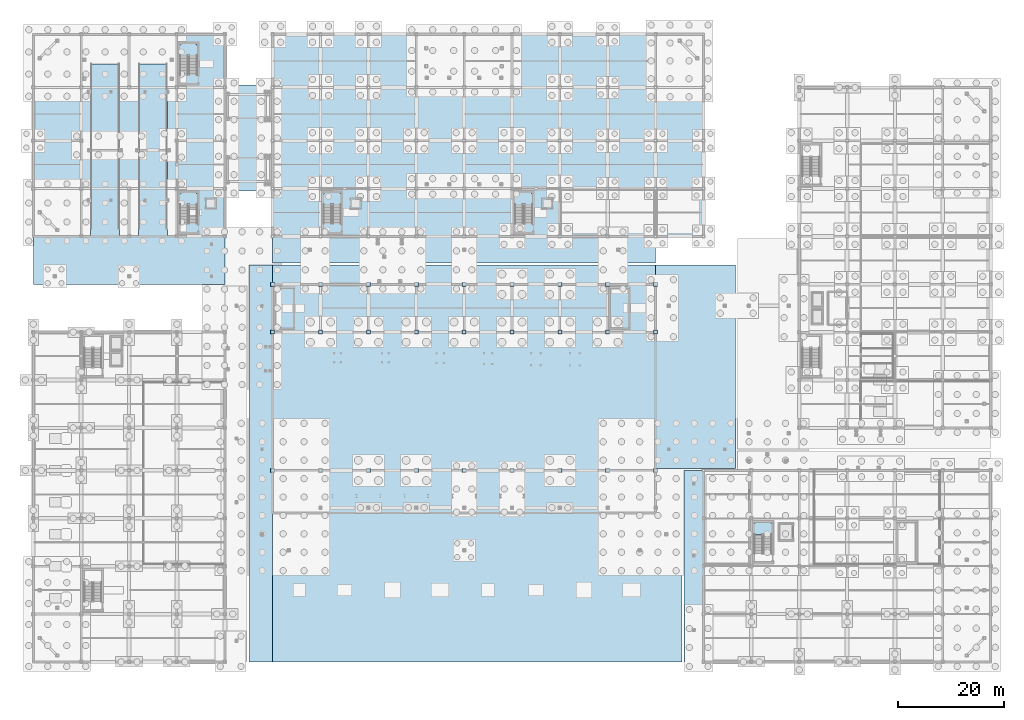
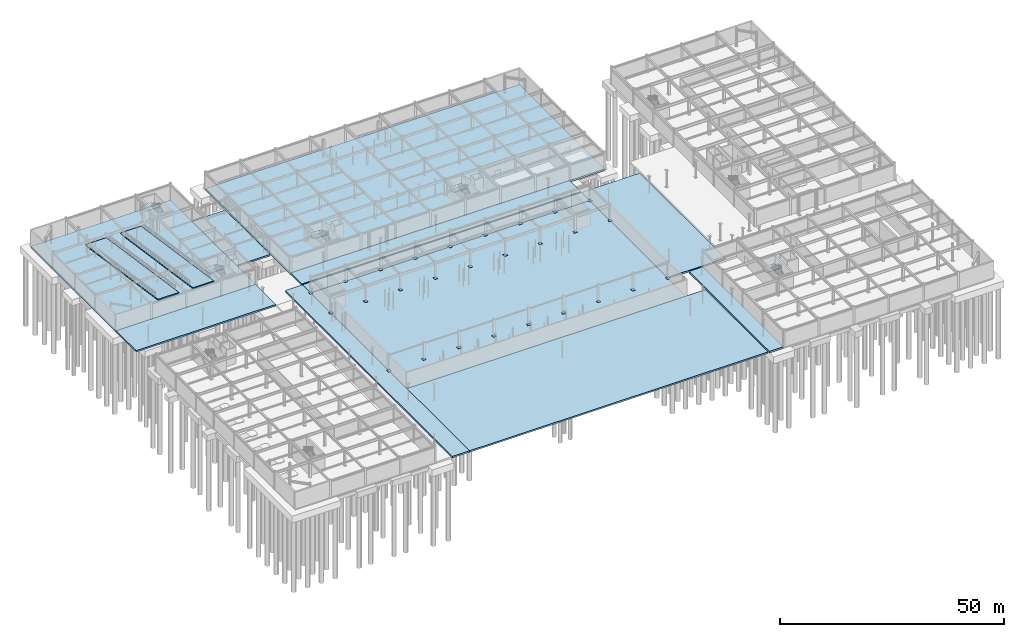
# One storey, part 44 of 74: 27 plates, 18 slabs, 5 elements without a shape of their own.
"""IFC4 building model written with IfcOpenShell, lengths in metres."""

from ifc_helpers import new_model, si_unit, direction, frame, origin, origin_2d, place, context, subcontext, project, spatial, polyline, rectangle, outline, extrude, material, layer, layer_set, type_object, element, aggregate, save


model = new_model("IFC4")

# Units and contexts
model_context = context("Model", 3, precision=1e-05, world=origin(), true_north=direction((0.0, 1.0)))
body_context = subcontext(model_context, "Body", "Model", "MODEL_VIEW")
ifc_project = project(units=[si_unit("LENGTHUNIT", "METRE"), si_unit("AREAUNIT", "SQUARE_METRE"), si_unit("VOLUMEUNIT", "CUBIC_METRE"), si_unit("PLANEANGLEUNIT", "RADIAN"), si_unit("MASSUNIT", "GRAM", prefix="KILO")], contexts=[model_context])

# Site, building, storey
site_placement = place(None, origin())
site = spatial("IfcSite", under=ifc_project, at=site_placement, CompositionType="ELEMENT")
building_placement = place(site_placement, origin())
building = spatial("IfcBuilding", under=site, at=building_placement, Name="Suzunagisa Mobility Hub", CompositionType="ELEMENT")
storey_placement = place(building_placement, frame((0.0, 0.0, -4.800048828125)))
storey = spatial("IfcBuildingStorey", under=building, at=storey_placement, Name="B1", CompositionType="ELEMENT", Elevation=-4.800048828125)

# Slabs
ifc_material_1 = material(Name="Concrete C35/45", Category="concrete")
ifc_layer_1 = layer(ifc_material_1, 0.419921875)
ifc_layer_set_1 = layer_set([ifc_layer_1], Name="Concrete C35/45")
slab_type_1 = type_object("IfcSlabType", Name="Composite Slab SL-05 420mm", PredefinedType="BASESLAB", material=ifc_layer_set_1)
slab_1_placement = place(storey_placement, frame((0.0, 0.0, -0.419921875)))
element("IfcSlab", 1, at=slab_1_placement, inside=storey, type_object=slab_type_1, Name="B1 V1 West Forecourt Foundation Mat", PredefinedType="BASESLAB", context=body_context, shape_type="SweptSolid", body=[
    extrude(outline(polyline([(40.550048828125, 0.0), (45.0, 0.0), (45.0, 74.64990234375), (40.550048828125, 74.64990234375), (40.550048828125, 0.0)])), origin(), (0.0, 0.0, 1.0), 0.419921875),
])
slab_2_placement = place(storey_placement, frame((0.0, 0.0, -0.419921875)))
element("IfcSlab", 2, at=slab_2_placement, inside=storey, type_object=slab_type_1, Name="B1 V1 South Civic Forecourt Foundation Mat", PredefinedType="BASESLAB", context=body_context, shape_type="SweptSolid", body=[
    extrude(outline(polyline([(45.0, 0.0), (122.0, 0.0), (122.0, 28.0), (45.0, 28.0), (45.0, 0.0)])), origin(), (0.0, 0.0, 1.0), 0.419921875),
])
slab_3_placement = place(storey_placement, frame((0.0, 0.0, -0.419921875)))
element("IfcSlab", 3, at=slab_3_placement, inside=storey, type_object=slab_type_1, Name="B1 V1 North Courtyard Foundation Mat", PredefinedType="BASESLAB", context=body_context, shape_type="SweptSolid", body=[
    extrude(outline(polyline([(45.0, 71.0), (117.0, 71.0), (117.0, 74.64990234375), (45.0, 74.64990234375), (45.0, 71.0)])), origin(), (0.0, 0.0, 1.0), 0.419921875),
])
slab_4_placement = place(storey_placement, frame((0.0, 0.0, -0.419921875)))
element("IfcSlab", 4, at=slab_4_placement, inside=storey, type_object=slab_type_1, Name="B1 V6S West Colonnade Foundation Mat", PredefinedType="BASESLAB", context=body_context, shape_type="SweptSolid", body=[
    extrude(outline(polyline([(122.35009765625, 0.0), (126.0, 0.0), (126.0, 36.0), (122.35009765625, 36.0), (122.35009765625, 0.0)])), origin(), (0.0, 0.0, 1.0), 0.419921875),
])
slab_5_placement = place(storey_placement, frame((0.0, 0.0, -0.419921875)))
element("IfcSlab", 5, at=slab_5_placement, inside=storey, type_object=slab_type_1, Name="B1 V1 East Courtyard Foundation Mat", PredefinedType="BASESLAB", context=body_context, shape_type="SweptSolid", body=[
    extrude(outline(polyline([(117.0, 36.35009765625), (132.0, 36.35009765625), (132.0, 74.64990234375), (117.0, 74.64990234375), (117.0, 36.35009765625)])), origin(), (0.0, 0.0, 1.0), 0.419921875),
])
slab_6_placement = place(storey_placement, frame((0.0, 0.0, -0.419921875)))
element("IfcSlab", 6, at=slab_6_placement, inside=storey, type_object=slab_type_1, Name="B1 V2 Ramp Portal Foundation Mat", PredefinedType="BASESLAB", context=body_context, shape_type="SweptSolid", body=[
    extrude(outline(polyline([(0.0, 71.0), (36.0, 71.0), (36.0, 80.0), (0.0, 80.0), (0.0, 71.0)])), origin(), (0.0, 0.0, 1.0), 0.419921875),
])
slab_7_placement = place(storey_placement, frame((0.0, 0.0, -0.419921875)))
element("IfcSlab", 7, at=slab_7_placement, inside=storey, type_object=slab_type_1, Name="B1 V2 Ramp-Link Margin Foundation Mat", PredefinedType="BASESLAB", context=body_context, shape_type="SweptSolid", body=[
    extrude(outline(polyline([(36.0, 88.5), (44.64990234375, 88.5), (44.64990234375, 108.5), (36.0, 108.5), (36.0, 88.5)])), origin(), (0.0, 0.0, 1.0), 0.419921875),
])
slab_8_placement = place(storey_placement, frame((0.0, 0.0, -0.419921875)))
element("IfcSlab", 8, at=slab_8_placement, inside=storey, type_object=slab_type_1, Name="B1 V4 South Courtyard Foundation Mat", PredefinedType="BASESLAB", context=body_context, shape_type="SweptSolid", body=[
    extrude(outline(polyline([(45.0, 75.0), (117.0, 75.0), (117.0, 80.0), (45.0, 80.0), (45.0, 75.0)])), origin(), (0.0, 0.0, 1.0), 0.419921875),
])
ifc_layer_2 = layer(ifc_material_1, 0.449951171875)
ifc_layer_set_2 = layer_set([ifc_layer_2], Name="Concrete C35/45")
slab_type_2 = type_object("IfcSlabType", Name="Composite Slab SL-08 450mm", PredefinedType="BASESLAB", material=ifc_layer_set_2)
slab_9_placement = place(storey_placement, frame((0.0, 0.0, -0.449951171875)))
element("IfcSlab", 9, at=slab_9_placement, inside=storey, type_object=slab_type_2, Name="B1 V1 Baseslab Slab", PredefinedType="BASESLAB", context=body_context, shape_type="SweptSolid", body=[
    extrude(outline(polyline([(45.0, 28.0), (117.0, 28.0), (117.0, 71.0), (45.0, 71.0), (45.0, 28.0)])), origin(), (0.0, 0.0, 1.0), 0.449951171875),
])
ifc_layer_3 = layer(ifc_material_1, 0.4599609375)
ifc_layer_set_3 = layer_set([ifc_layer_3], Name="Concrete C35/45")
slab_type_3 = type_object("IfcSlabType", Name="Composite Slab SL-09 460mm", PredefinedType="BASESLAB", material=ifc_layer_set_3)
slab_10_placement = place(storey_placement, frame((0.0, 0.0, -0.4599609375)))
element("IfcSlab", 10, at=slab_10_placement, inside=storey, type_object=slab_type_3, Name="B1 V2 Baseslab Slab", PredefinedType="BASESLAB", context=body_context, shape_type="SweptSolid", body=[
    extrude(outline(polyline([(0.0, 80.0), (36.0, 80.0), (36.0, 118.0), (0.0, 118.0), (0.0, 80.0)])), origin(), (0.0, 0.0, 1.0), 0.4599609375),
])
ifc_layer_4 = layer(ifc_material_1, 0.5)
ifc_layer_set_4 = layer_set([ifc_layer_4], Name="Concrete C35/45")
slab_type_4 = type_object("IfcSlabType", Name="Composite Slab SL-16 500mm", PredefinedType="BASESLAB", material=ifc_layer_set_4)
slab_11_placement = place(storey_placement, frame((0.0, 0.0, -0.5)))
element("IfcSlab", 11, at=slab_11_placement, inside=storey, type_object=slab_type_4, Name="B1 V4 Baseslab Slab", PredefinedType="BASESLAB", context=body_context, shape_type="SweptSolid", body=[
    extrude(outline(polyline([(45.0, 80.0), (126.0, 80.0), (126.0, 118.0), (45.0, 118.0), (45.0, 80.0)])), origin(), (0.0, 0.0, 1.0), 0.5),
])
ifc_layer_5 = layer(ifc_material_1, 0.260009765625)
ifc_layer_set_5 = layer_set([ifc_layer_5], Name="Concrete C35/45")
slab_type_5 = type_object("IfcSlabType", Name="Composite Slab SL-18 260mm", PredefinedType="FLOOR", material=ifc_layer_set_5)
for number, where, z_axis, x_axis, name in (
    (12, (10.800048828125, 112.449951171875, 0.0), (0.0, 0.146108837154, 0.989268521538), (1.0, 0.0, 0.0), "B1 Vehicle Ramp Slab VR-01"),
    (13, (19.800048828125, 112.449951171875, 0.0), (0.0, 0.146108837154, 0.989268521538), (1.0, 0.0, 0.0), "B1 Vehicle Ramp Slab VR-02"),
):
    element("IfcSlab", number, at=place(storey_placement, frame(where, z_axis=z_axis, x_axis=x_axis)), inside=storey, type_object=slab_type_5, Name=name, PredefinedType="FLOOR", context=body_context, shape_type="SweptSolid", body=[
        extrude(outline(polyline([(0.0, 0.0), (5.39990234375, 0.0), (5.39990234375, -32.85255650253697), (0.0, -32.85255650253697), (0.0, 0.0)])), origin(), (0.0, 0.0, -1.0), 0.260009765625),
    ])

# Stair, slab
stair_type_1 = type_object("IfcStairType", Name="Dog-Leg Core Escape Stair ST-05 W1560", PredefinedType="HALF_TURN_STAIR", material=ifc_material_1)
stair_1_placement = place(storey_placement, origin())
stair_1 = element("IfcStair", 14, at=stair_1_placement, inside=storey, type_object=stair_type_1, Name="B1 Core C6 Escape Stair ST-05", PredefinedType="HALF_TURN_STAIR")
ifc_layer_6 = layer(ifc_material_1, 0.199951171875)
ifc_layer_set_6 = layer_set([ifc_layer_6], Name="Concrete C35/45")
slab_type_6 = type_object("IfcSlabType", Name="Core Stair Half-Landing Slab SL-SLND", PredefinedType="LANDING", material=ifc_layer_set_6)
slab_12_placement = place(storey_placement, frame((0.0, 0.0, 2.199951171875)))
slab_12 = element("IfcSlab", 15, at=slab_12_placement, type_object=slab_type_6, Name="ST-05 landing 1", PredefinedType="LANDING", context=body_context, shape_type="SweptSolid", body=[
    extrude(outline(polyline([(27.4599609375, 85.919921875), (30.93994140625, 85.919921875), (30.93994140625, 87.820068359375), (30.4599609375, 88.300048828125), (27.93994140625, 88.300048828125), (27.4599609375, 87.820068359375), (27.4599609375, 85.919921875)])), origin(), (0.0, 0.0, 1.0), 0.2001953125),
])
aggregate(stair_1, [slab_12])

stair_type_2 = type_object("IfcStairType", Name="Dog-Leg Core Escape Stair ST-06 W1560", PredefinedType="HALF_TURN_STAIR", material=ifc_material_1)
stair_2_placement = place(storey_placement, origin())
stair_2 = element("IfcStair", 16, at=stair_2_placement, inside=storey, type_object=stair_type_2, Name="B1 Core C6B Escape Stair ST-06", PredefinedType="HALF_TURN_STAIR")
slab_13_placement = place(storey_placement, frame((0.0, 0.0, 2.199951171875)))
slab_13 = element("IfcSlab", 17, at=slab_13_placement, type_object=slab_type_6, Name="ST-06 landing 1", PredefinedType="LANDING", context=body_context, shape_type="SweptSolid", body=[
    extrude(outline(polyline([(27.4599609375, 113.919921875), (30.93994140625, 113.919921875), (30.93994140625, 115.820068359375), (30.4599609375, 116.300048828125), (27.93994140625, 116.300048828125), (27.4599609375, 115.820068359375), (27.4599609375, 113.919921875)])), origin(), (0.0, 0.0, 1.0), 0.2001953125),
])
aggregate(stair_2, [slab_13])

stair_type_3 = type_object("IfcStairType", Name="Dog-Leg Core Escape Stair ST-07 W1560", PredefinedType="HALF_TURN_STAIR", material=ifc_material_1)
stair_3_placement = place(storey_placement, origin())
stair_3 = element("IfcStair", 18, at=stair_3_placement, inside=storey, type_object=stair_type_3, Name="B1 Core C3 Escape Stair ST-07", PredefinedType="HALF_TURN_STAIR")
slab_14_placement = place(storey_placement, frame((0.0, 0.0, 2.199951171875)))
slab_14 = element("IfcSlab", 19, at=slab_14_placement, type_object=slab_type_6, Name="ST-07 landing 1", PredefinedType="LANDING", context=body_context, shape_type="SweptSolid", body=[
    extrude(outline(polyline([(54.4599609375, 85.919921875), (57.93994140625, 85.919921875), (57.93994140625, 87.820068359375), (57.4599609375, 88.300048828125), (54.93994140625, 88.300048828125), (54.4599609375, 87.820068359375), (54.4599609375, 85.919921875)])), origin(), (0.0, 0.0, 1.0), 0.2001953125),
])
aggregate(stair_3, [slab_14])

stair_type_4 = type_object("IfcStairType", Name="Dog-Leg Core Escape Stair ST-08 W1560", PredefinedType="HALF_TURN_STAIR", material=ifc_material_1)
stair_4_placement = place(storey_placement, origin())
stair_4 = element("IfcStair", 20, at=stair_4_placement, inside=storey, type_object=stair_type_4, Name="B1 Core C4 Escape Stair ST-08", PredefinedType="HALF_TURN_STAIR")
slab_15_placement = place(storey_placement, frame((0.0, 0.0, 2.199951171875)))
slab_15 = element("IfcSlab", 21, at=slab_15_placement, type_object=slab_type_6, Name="ST-08 landing 1", PredefinedType="LANDING", context=body_context, shape_type="SweptSolid", body=[
    extrude(outline(polyline([(90.4599609375, 85.919921875), (93.93994140625, 85.919921875), (93.93994140625, 87.820068359375), (93.4599609375, 88.300048828125), (90.93994140625, 88.300048828125), (90.4599609375, 87.820068359375), (90.4599609375, 85.919921875)])), origin(), (0.0, 0.0, 1.0), 0.2001953125),
])
aggregate(stair_4, [slab_15])

stair_type_5 = type_object("IfcStairType", Name="Dog-Leg Core Escape Stair ST-09 W1560", PredefinedType="HALF_TURN_STAIR", material=ifc_material_1)
stair_5_placement = place(storey_placement, origin())
stair_5 = element("IfcStair", 22, at=stair_5_placement, inside=storey, type_object=stair_type_5, Name="B1 Core C7 Escape Stair ST-09", PredefinedType="HALF_TURN_STAIR")
slab_16_placement = place(storey_placement, frame((0.0, 0.0, 2.199951171875)))
slab_16 = element("IfcSlab", 23, at=slab_16_placement, type_object=slab_type_6, Name="ST-09 landing 1", PredefinedType="LANDING", context=body_context, shape_type="SweptSolid", body=[
    extrude(outline(polyline([(135.4599609375, 23.919921875), (138.93994140625, 23.919921875), (138.93994140625, 25.820068359375), (138.4599609375, 26.300048828125), (135.93994140625, 26.300048828125), (135.4599609375, 25.820068359375), (135.4599609375, 23.919921875)])), origin(), (0.0, 0.0, 1.0), 0.2001953125),
])
aggregate(stair_5, [slab_16])

# Plates
ifc_material_2 = material(Name="Steel SN490B", Category="steel")
ifc_layer_7 = layer(ifc_material_2, 0.035888671875)
ifc_layer_set_7 = layer_set([ifc_layer_7], Name="Steel SN490B")
plate_type = type_object("IfcPlateType", Name="Structural Steel Plate SP-02 750x750x36", PredefinedType="USERDEFINED", material=ifc_layer_set_7)
for number, where, z_axis, x_axis, name in (
    (24, (45.0, 36.0, -0.0361328125), (0.0, 0.0, 1.0), (1.0, 0.0, 0.0), "Column Base Plate BP-115"),
    (25, (45.0, 62.0, -0.0361328125), (0.0, 0.0, 1.0), (1.0, 0.0, 0.0), "Column Base Plate BP-116"),
    (26, (45.0, 71.0, -0.0361328125), (0.0, 0.0, 1.0), (1.0, 0.0, 0.0), "Column Base Plate BP-117"),
    (27, (54.0, 36.0, -0.0361328125), (0.0, 0.0, 1.0), (1.0, 0.0, 0.0), "Column Base Plate BP-126"),
    (28, (54.0, 62.0, -0.0361328125), (0.0, 0.0, 1.0), (1.0, 0.0, 0.0), "Column Base Plate BP-127"),
    (29, (54.0, 71.0, -0.0361328125), (0.0, 0.0, 1.0), (1.0, 0.0, 0.0), "Column Base Plate BP-128"),
    (30, (63.0, 36.0, -0.0361328125), (0.0, 0.0, 1.0), (1.0, 0.0, 0.0), "Column Base Plate BP-135"),
    (31, (63.0, 62.0, -0.0361328125), (0.0, 0.0, 1.0), (1.0, 0.0, 0.0), "Column Base Plate BP-136"),
    (32, (63.0, 71.0, -0.0361328125), (0.0, 0.0, 1.0), (1.0, 0.0, 0.0), "Column Base Plate BP-137"),
    (33, (72.0, 36.0, -0.0361328125), (0.0, 0.0, 1.0), (1.0, 0.0, 0.0), "Column Base Plate BP-151"),
    (34, (72.0, 62.0, -0.0361328125), (0.0, 0.0, 1.0), (1.0, 0.0, 0.0), "Column Base Plate BP-152"),
    (35, (72.0, 71.0, -0.0361328125), (0.0, 0.0, 1.0), (1.0, 0.0, 0.0), "Column Base Plate BP-153"),
    (36, (81.0, 36.0, -0.0361328125), (0.0, 0.0, 1.0), (1.0, 0.0, 0.0), "Column Base Plate BP-167"),
    (37, (81.0, 62.0, -0.0361328125), (0.0, 0.0, 1.0), (1.0, 0.0, 0.0), "Column Base Plate BP-168"),
    (38, (81.0, 71.0, -0.0361328125), (0.0, 0.0, 1.0), (1.0, 0.0, 0.0), "Column Base Plate BP-169"),
    (39, (90.0, 36.0, -0.0361328125), (0.0, 0.0, 1.0), (1.0, 0.0, 0.0), "Column Base Plate BP-183"),
    (40, (90.0, 62.0, -0.0361328125), (0.0, 0.0, 1.0), (1.0, 0.0, 0.0), "Column Base Plate BP-184"),
    (41, (90.0, 71.0, -0.0361328125), (0.0, 0.0, 1.0), (1.0, 0.0, 0.0), "Column Base Plate BP-185"),
    (42, (99.0, 36.0, -0.0361328125), (0.0, 0.0, 1.0), (1.0, 0.0, 0.0), "Column Base Plate BP-192"),
    (43, (99.0, 62.0, -0.0361328125), (0.0, 0.0, 1.0), (1.0, 0.0, 0.0), "Column Base Plate BP-193"),
    (44, (99.0, 71.0, -0.0361328125), (0.0, 0.0, 1.0), (1.0, 0.0, 0.0), "Column Base Plate BP-194"),
    (45, (108.0, 36.0, -0.0361328125), (0.0, 0.0, 1.0), (1.0, 0.0, 0.0), "Column Base Plate BP-201"),
    (46, (108.0, 62.0, -0.0361328125), (0.0, 0.0, 1.0), (1.0, 0.0, 0.0), "Column Base Plate BP-202"),
    (47, (108.0, 71.0, -0.0361328125), (0.0, 0.0, 1.0), (1.0, 0.0, 0.0), "Column Base Plate BP-203"),
    (48, (117.0, 36.0, -0.0361328125), (0.0, 0.0, 1.0), (1.0, 0.0, 0.0), "Column Base Plate BP-212"),
    (49, (117.0, 62.0, -0.0361328125), (0.0, 0.0, 1.0), (1.0, 0.0, 0.0), "Column Base Plate BP-213"),
    (50, (117.0, 71.0, -0.0361328125), (0.0, 0.0, 1.0), (1.0, 0.0, 0.0), "Column Base Plate BP-214"),
):
    element("IfcPlate", number, at=place(storey_placement, frame(where, z_axis=z_axis, x_axis=x_axis)), inside=storey, type_object=plate_type, Name=name, ObjectType="BASE PLATE", PredefinedType="USERDEFINED", context=body_context, shape_type="SweptSolid", body=[
        extrude(rectangle(XDim=0.75, YDim=0.75, at=origin_2d()), origin(), (0.0, 0.0, 1.0), 0.035888671875),
    ])

save(model, "model.ifc")
